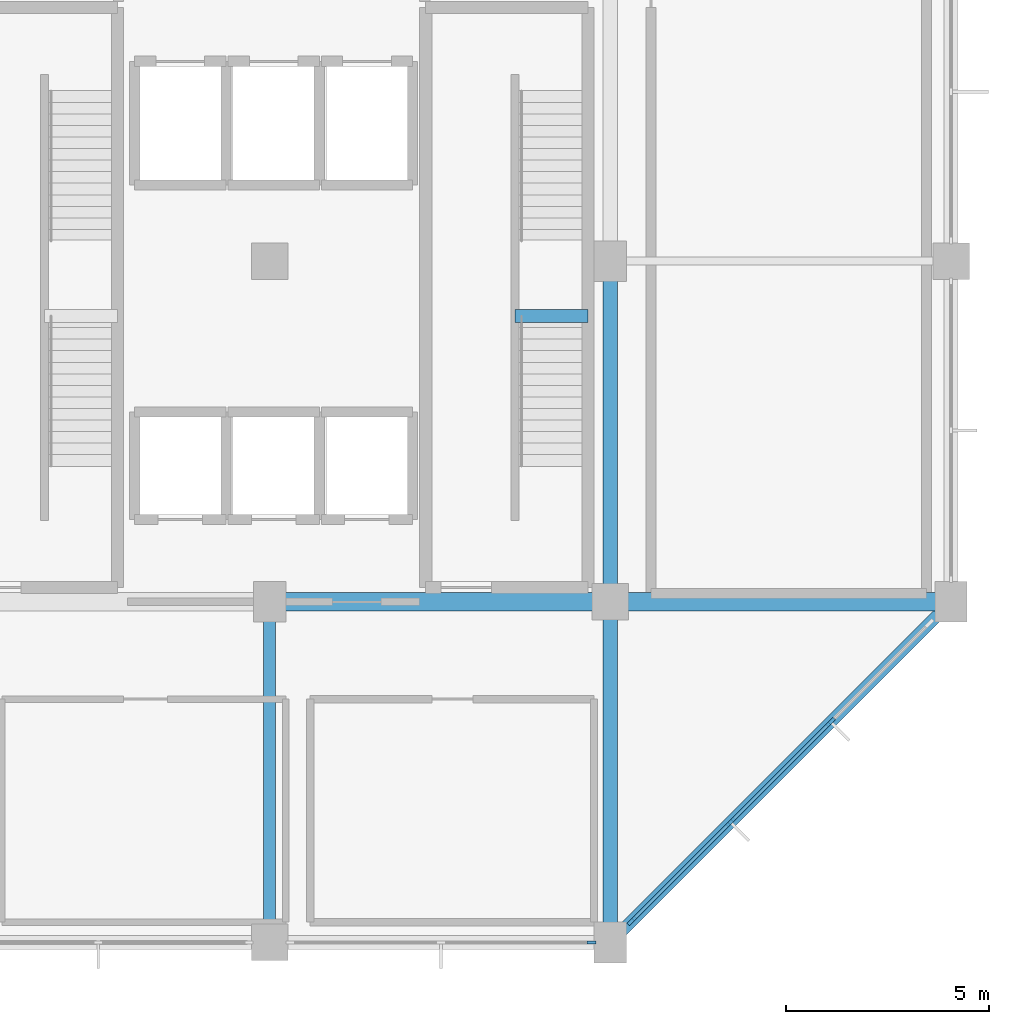
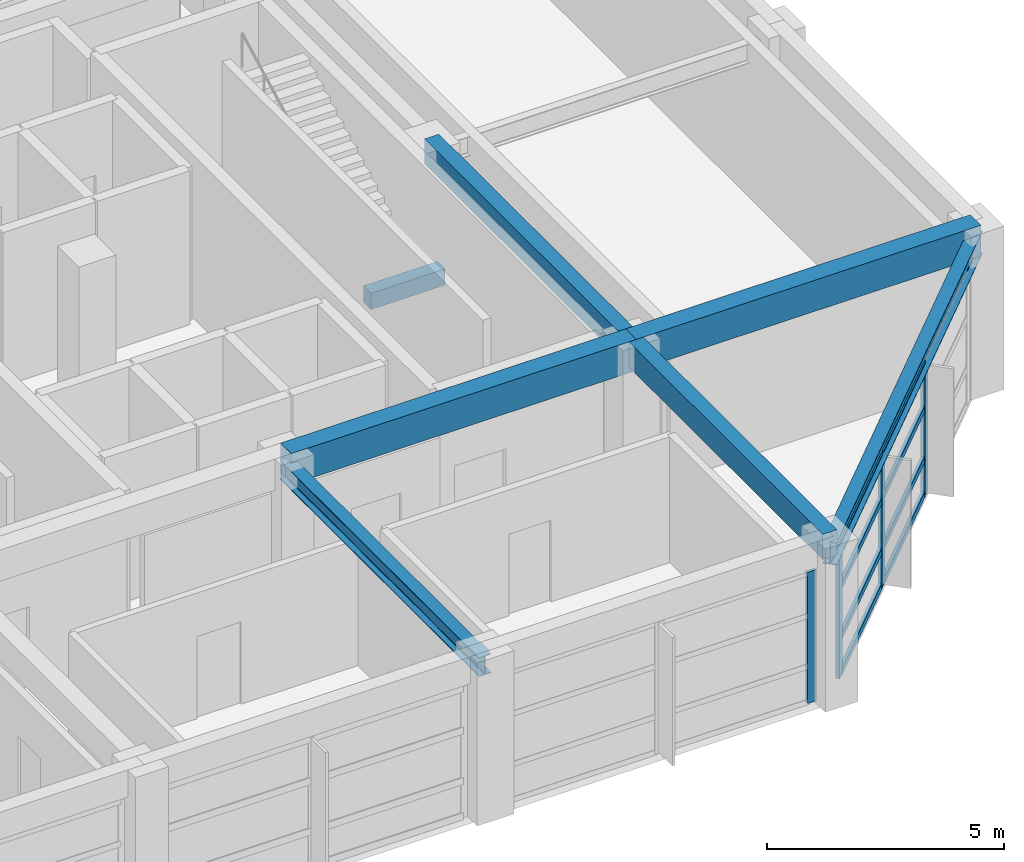
# One storey, part 3 of 12: 12 members, 7 beams, 2 elements without a shape of their own.
"""IFC4 building model written with IfcOpenShell, lengths in metres."""

from ifc_helpers import new_model, si_unit, direction, frame, origin, origin_2d, place, context, subcontext, project, spatial, rectangle, i_section, extrude, material, material_profile, profile_set, type_object, element, aggregate, save


model = new_model("IFC4")

# Units and contexts
model_context = context("Model", 3, precision=1e-05, world=origin(), true_north=direction((0.0, 1.0)))
body_context = subcontext(model_context, "Body", "Model", "MODEL_VIEW")
ifc_project = project(units=[si_unit("LENGTHUNIT", "METRE"), si_unit("AREAUNIT", "SQUARE_METRE"), si_unit("VOLUMEUNIT", "CUBIC_METRE"), si_unit("PLANEANGLEUNIT", "RADIAN"), si_unit("MASSUNIT", "GRAM", prefix="KILO")], contexts=[model_context])

# Site, building, storey
site_placement = place(None, origin())
site = spatial("IfcSite", under=ifc_project, at=site_placement, CompositionType="ELEMENT")
building_placement = place(site_placement, origin())
building = spatial("IfcBuilding", under=site, at=building_placement, Name="Xuanlan Plaza Opera House", CompositionType="ELEMENT")
storey_placement = place(building_placement, frame((0.0, 0.0, 61.5)))
storey = spatial("IfcBuildingStorey", under=building, at=storey_placement, Name="L14", CompositionType="ELEMENT", Elevation=61.5)

# Curtain wall, member
ifc_material_1 = material(Name="Anodised Aluminium 6063-T6 and Low-E Glass", Category="aluminium")
curtain_wall_type_1 = type_object("IfcCurtainWallType", Name="ENV-CW-CW-03", PredefinedType="USERDEFINED", material=ifc_material_1)
curtain_wall_1_placement = place(storey_placement, origin())
curtain_wall_1 = element("IfcCurtainWall", 1, at=curtain_wall_1_placement, inside=storey, type_object=curtain_wall_type_1, Name="Unitised Curtain Wall L14-003", ObjectType="UNITISED CURTAIN WALL", PredefinedType="USERDEFINED")
ifc_material_2 = material(Name="Anodised Aluminium 6063-T6", Category="aluminium")
ifc_material_profile_1 = material_profile(ifc_material_2, rectangle(XDim=0.080078125, YDim=0.219970703125, at=origin_2d()), Name="ALU-M 80x220")
ifc_profile_set_1 = profile_set([ifc_material_profile_1], Name="Anodised Aluminium 6063-T6")
member_type_1 = type_object("IfcMemberType", Name="ENV-CWM-04", PredefinedType="MULLION", material=ifc_profile_set_1)
member_1_placement = place(storey_placement, frame((150.739990234375, 42.0, 0.0), z_axis=(0.0, 0.0, 1.0), x_axis=(0.0, 1.0, 0.0)))
member_1 = element("IfcMember", 2, at=member_1_placement, type_object=member_type_1, Name="CW-03 mullion 3", PredefinedType="MULLION", context=body_context, shape_type="SweptSolid", body=[
    extrude(rectangle(XDim=0.080078125, YDim=0.219970703125, at=origin_2d()), origin(), (0.0, 0.0, 1.0), 3.3798828125),
])
aggregate(curtain_wall_1, [member_1])

# Curtain wall, members
curtain_wall_type_2 = type_object("IfcCurtainWallType", Name="ENV-CW-CW-04", PredefinedType="USERDEFINED", material=ifc_material_1)
curtain_wall_2_placement = place(storey_placement, origin())
curtain_wall_2 = element("IfcCurtainWall", 3, at=curtain_wall_2_placement, inside=storey, type_object=curtain_wall_type_2, Name="Unitised Curtain Wall L14-004", ObjectType="UNITISED CURTAIN WALL", PredefinedType="USERDEFINED")
ifc_material_profile_2 = material_profile(ifc_material_2, rectangle(XDim=0.090087890625, YDim=0.25, at=origin_2d()), Name="ALU-M 90x250")
ifc_profile_set_2 = profile_set([ifc_material_profile_2], Name="Anodised Aluminium 6063-T6")
member_type_2 = type_object("IfcMemberType", Name="ENV-CWM-05", PredefinedType="MULLION", material=ifc_profile_set_2)
member_2_placement = place(storey_placement, frame((151.730712890625, 42.53076171875, 0.0), z_axis=(0.0, 0.0, 1.0), x_axis=(-0.707106781187, 0.707106781187, 0.0)))
member_2 = element("IfcMember", 4, at=member_2_placement, type_object=member_type_2, Name="CW-04 mullion 1", PredefinedType="MULLION", context=body_context, shape_type="SweptSolid", body=[
    extrude(rectangle(XDim=0.090087890625, YDim=0.25, at=origin_2d()), origin(), (0.0, 0.0, 1.0), 3.3798828125),
])
member_3_placement = place(storey_placement, frame((154.166259765625, 44.96630859375, 0.0), z_axis=(0.0, 0.0, 1.0), x_axis=(-0.707106781187, 0.707106781187, 0.0)))
member_3 = element("IfcMember", 5, at=member_3_placement, type_object=member_type_2, Name="CW-04 mullion 2", PredefinedType="MULLION", context=body_context, shape_type="SweptSolid", body=[
    extrude(rectangle(XDim=0.090087890625, YDim=0.25, at=origin_2d()), origin(), (0.0, 0.0, 1.0), 3.3798828125),
])
member_4_placement = place(storey_placement, frame((156.633544921875, 47.43359375, 0.0), z_axis=(0.0, 0.0, 1.0), x_axis=(-0.707106781187, 0.707106781187, 0.0)))
member_4 = element("IfcMember", 6, at=member_4_placement, type_object=member_type_2, Name="CW-04 mullion 3", PredefinedType="MULLION", context=body_context, shape_type="SweptSolid", body=[
    extrude(rectangle(XDim=0.090087890625, YDim=0.25, at=origin_2d()), origin(), (0.0, 0.0, 1.0), 3.3798828125),
])
ifc_material_profile_3 = material_profile(ifc_material_2, rectangle(XDim=0.080078125, YDim=0.1650390625, at=origin_2d()), Name="ALU-T 80x165")
ifc_profile_set_3 = profile_set([ifc_material_profile_3], Name="Anodised Aluminium 6063-T6")
member_type_3 = type_object("IfcMemberType", Name="ENV-CWT-04", PredefinedType="USERDEFINED", material=ifc_profile_set_3)
member_5_placement = place(storey_placement, frame((151.7626953125, 42.562744140625, 0.0400390625), z_axis=(0.707106781187, 0.707106781187, 0.0), x_axis=(-0.707106781187, 0.707106781187, 0.0)))
member_5 = element("IfcMember", 7, at=member_5_placement, type_object=member_type_3, Name="CW-04 transom 1.1", ObjectType="TRANSOM", PredefinedType="USERDEFINED", context=body_context, shape_type="SweptSolid", body=[
    extrude(rectangle(XDim=0.080078125, YDim=0.1650390625, at=origin_2d()), origin(), (0.0, 0.0, 1.0), 3.354248046875),
])
member_6_placement = place(storey_placement, frame((151.7626953125, 42.562744140625, 0.949951171875), z_axis=(0.707106781187, 0.707106781187, 0.0), x_axis=(-0.707106781187, 0.707106781187, 0.0)))
member_6 = element("IfcMember", 8, at=member_6_placement, type_object=member_type_3, Name="CW-04 transom 1.2", ObjectType="TRANSOM", PredefinedType="USERDEFINED", context=body_context, shape_type="SweptSolid", body=[
    extrude(rectangle(XDim=0.080078125, YDim=0.1650390625, at=origin_2d()), origin(), (0.0, 0.0, 1.0), 3.354248046875),
])
member_7_placement = place(storey_placement, frame((151.7626953125, 42.562744140625, 2.25), z_axis=(0.707106781187, 0.707106781187, 0.0), x_axis=(-0.707106781187, 0.707106781187, 0.0)))
member_7 = element("IfcMember", 9, at=member_7_placement, type_object=member_type_3, Name="CW-04 transom 1.3", ObjectType="TRANSOM", PredefinedType="USERDEFINED", context=body_context, shape_type="SweptSolid", body=[
    extrude(rectangle(XDim=0.080078125, YDim=0.1650390625, at=origin_2d()), origin(), (0.0, 0.0, 1.0), 3.354248046875),
])
member_8_placement = place(storey_placement, frame((151.7626953125, 42.562744140625, 3.340087890625), z_axis=(0.707106781187, 0.707106781187, 0.0), x_axis=(-0.707106781187, 0.707106781187, 0.0)))
member_8 = element("IfcMember", 10, at=member_8_placement, type_object=member_type_3, Name="CW-04 transom 1.4", ObjectType="TRANSOM", PredefinedType="USERDEFINED", context=body_context, shape_type="SweptSolid", body=[
    extrude(rectangle(XDim=0.080078125, YDim=0.1650390625, at=origin_2d()), origin(), (0.0, 0.0, 1.0), 3.354248046875),
])
member_9_placement = place(storey_placement, frame((154.1982421875, 44.998046875, 0.0400390625), z_axis=(0.707070870124, 0.707142690426, 0.0), x_axis=(-0.707142690426, 0.707070870124, 0.0)))
member_9 = element("IfcMember", 11, at=member_9_placement, type_object=member_type_3, Name="CW-04 transom 2.1", ObjectType="TRANSOM", PredefinedType="USERDEFINED", context=body_context, shape_type="SweptSolid", body=[
    extrude(rectangle(XDim=0.080078125, YDim=0.1650390625, at=origin_2d()), origin(), (0.0, 0.0, 1.0), 3.3994140625),
])
member_10_placement = place(storey_placement, frame((154.1982421875, 44.998046875, 0.949951171875), z_axis=(0.707070870124, 0.707142690426, 0.0), x_axis=(-0.707142690426, 0.707070870124, 0.0)))
member_10 = element("IfcMember", 12, at=member_10_placement, type_object=member_type_3, Name="CW-04 transom 2.2", ObjectType="TRANSOM", PredefinedType="USERDEFINED", context=body_context, shape_type="SweptSolid", body=[
    extrude(rectangle(XDim=0.080078125, YDim=0.1650390625, at=origin_2d()), origin(), (0.0, 0.0, 1.0), 3.3994140625),
])
member_11_placement = place(storey_placement, frame((154.1982421875, 44.998046875, 2.25), z_axis=(0.707070870124, 0.707142690426, 0.0), x_axis=(-0.707142690426, 0.707070870124, 0.0)))
member_11 = element("IfcMember", 13, at=member_11_placement, type_object=member_type_3, Name="CW-04 transom 2.3", ObjectType="TRANSOM", PredefinedType="USERDEFINED", context=body_context, shape_type="SweptSolid", body=[
    extrude(rectangle(XDim=0.080078125, YDim=0.1650390625, at=origin_2d()), origin(), (0.0, 0.0, 1.0), 3.3994140625),
])
member_12_placement = place(storey_placement, frame((154.1982421875, 44.998046875, 3.340087890625), z_axis=(0.707070870124, 0.707142690426, 0.0), x_axis=(-0.707142690426, 0.707070870124, 0.0)))
member_12 = element("IfcMember", 14, at=member_12_placement, type_object=member_type_3, Name="CW-04 transom 2.4", ObjectType="TRANSOM", PredefinedType="USERDEFINED", context=body_context, shape_type="SweptSolid", body=[
    extrude(rectangle(XDim=0.080078125, YDim=0.1650390625, at=origin_2d()), origin(), (0.0, 0.0, 1.0), 3.3994140625),
])
aggregate(curtain_wall_2, [member_2, member_3, member_4, member_5, member_6, member_7, member_8, member_9, member_10, member_11, member_12])

# Beams
ifc_material_3 = material(Name="Concrete C40", Category="concrete")
ifc_material_profile_4 = material_profile(ifc_material_3, rectangle(XDim=0.449951171875, YDim=0.800048828125, at=origin_2d()), Name="RC-BM 450x800")
ifc_profile_set_4 = profile_set([ifc_material_profile_4], Name="Concrete C40")
beam_type_1 = type_object("IfcBeamType", Name="STR-BM-B-05", PredefinedType="BEAM", material=ifc_profile_set_4)
beam_1_placement = place(storey_placement, frame((142.800048828125, 50.39990234375, 3.800048828125), z_axis=(1.0, 0.0, 0.0), x_axis=(0.0, 1.0, 0.0)))
element("IfcBeam", 15, at=beam_1_placement, inside=storey, type_object=beam_type_1, Name="Grid Beam X L14 18-19/G", PredefinedType="BEAM", context=body_context, shape_type="SweptSolid", body=[
    extrude(rectangle(XDim=0.449951171875, YDim=0.800048828125, at=origin_2d()), origin(), (0.0, 0.0, 1.0), 8.39990234375),
])
beam_2_placement = place(storey_placement, frame((151.199951171875, 50.39990234375, 3.800048828125), z_axis=(1.0, 0.0, 0.0), x_axis=(0.0, 1.0, 0.0)))
element("IfcBeam", 16, at=beam_2_placement, inside=storey, type_object=beam_type_1, Name="Grid Beam X L14 19-20/G", PredefinedType="BEAM", context=body_context, shape_type="SweptSolid", body=[
    extrude(rectangle(XDim=0.449951171875, YDim=0.800048828125, at=origin_2d()), origin(), (0.0, 0.0, 1.0), 8.400146484375),
])
ifc_material_profile_5 = material_profile(ifc_material_3, rectangle(XDim=0.35009765625, YDim=0.64990234375, at=origin_2d()), Name="RC-BM 350x650")
ifc_profile_set_5 = profile_set([ifc_material_profile_5], Name="Concrete C40")
beam_type_2 = type_object("IfcBeamType", Name="STR-BM-B-08", PredefinedType="BEAM", material=ifc_profile_set_5)
beam_3_placement = place(storey_placement, frame((151.199951171875, 42.0, 3.875), z_axis=(0.0, 1.0, 0.0), x_axis=(-1.0, 0.0, 0.0)))
element("IfcBeam", 17, at=beam_3_placement, inside=storey, type_object=beam_type_2, Name="Grid Beam Y L14 19/F-G", PredefinedType="BEAM", context=body_context, shape_type="SweptSolid", body=[
    extrude(rectangle(XDim=0.35009765625, YDim=0.64990234375, at=origin_2d()), origin(), (0.0, 0.0, 1.0), 8.39990234375),
])
beam_4_placement = place(storey_placement, frame((151.199951171875, 50.39990234375, 3.875), z_axis=(0.0, 1.0, 0.0), x_axis=(-1.0, 0.0, 0.0)))
element("IfcBeam", 18, at=beam_4_placement, inside=storey, type_object=beam_type_2, Name="Grid Beam Y L14 19/G-H", PredefinedType="BEAM", context=body_context, shape_type="SweptSolid", body=[
    extrude(rectangle(XDim=0.35009765625, YDim=0.64990234375, at=origin_2d()), origin(), (0.0, 0.0, 1.0), 8.400146484375),
])
ifc_material_profile_6 = material_profile(ifc_material_3, rectangle(XDim=0.320068359375, YDim=0.419921875, at=origin_2d()), Name="RC-LNT 320x420")
ifc_profile_set_6 = profile_set([ifc_material_profile_6], Name="Concrete C40")
beam_type_3 = type_object("IfcBeamType", Name="STR-BM-LN-04", PredefinedType="LINTEL", material=ifc_profile_set_6)
beam_5_placement = place(storey_placement, frame((148.85009765625, 57.445068359375, 1.68994140625), z_axis=(1.0, 0.0, 0.0), x_axis=(0.0, 1.0, 0.0)))
element("IfcBeam", 19, at=beam_5_placement, inside=storey, type_object=beam_type_3, Name="Stair Mid-Landing Trimmer Beam ST-T2 L14", PredefinedType="LINTEL", context=body_context, shape_type="SweptSolid", body=[
    extrude(rectangle(XDim=0.320068359375, YDim=0.419921875, at=origin_2d()), origin(), (0.0, 0.0, 1.0), 1.7998046875),
])
ifc_material_4 = material(Name="Steel Q355B", Category="steel")
ifc_material_profile_7 = material_profile(ifc_material_4, i_section(OverallWidth=0.300048828125, OverallDepth=0.488037109375, WebThickness=0.010986328125, FlangeThickness=0.01806640625, FilletRadius=0.02197265625, at=origin_2d()), Name="HM 488x300x11x18")
ifc_profile_set_7 = profile_set([ifc_material_profile_7], Name="Steel Q355B")
beam_type_4 = type_object("IfcBeamType", Name="STR-BM-SB-07", PredefinedType="BEAM", material=ifc_profile_set_7)
beam_6_placement = place(storey_placement, frame((142.800048828125, 42.0, 3.7109375), z_axis=(0.0, 1.0, 0.0), x_axis=(-1.0, 0.0, 0.0)))
element("IfcBeam", 20, at=beam_6_placement, inside=storey, type_object=beam_type_4, Name="Grid Beam Y L14 18/F-G", PredefinedType="BEAM", context=body_context, shape_type="SweptSolid", body=[
    extrude(i_section(OverallWidth=0.300048828125, OverallDepth=0.488037109375, WebThickness=0.010986328125, FlangeThickness=0.01806640625, FilletRadius=0.02197265625, at=origin_2d()), origin(), (0.0, 0.0, 1.0), 8.39990234375),
])
ifc_material_profile_8 = material_profile(ifc_material_4, i_section(OverallWidth=0.300048828125, OverallDepth=0.587890625, WebThickness=0.011962890625, FlangeThickness=0.02001953125, FilletRadius=0.02392578125, at=origin_2d()), Name="HM 588x300x12x20")
ifc_profile_set_8 = profile_set([ifc_material_profile_8], Name="Steel Q355B")
beam_type_5 = type_object("IfcBeamType", Name="STR-BM-SP-03", PredefinedType="SPANDREL", material=ifc_profile_set_8)
beam_7_placement = place(storey_placement, frame((151.199951171875, 42.0, 3.660888671875), z_axis=(0.707117056885, 0.707096505339, 0.0), x_axis=(-0.707096505339, 0.707117056885, 0.0)))
element("IfcBeam", 21, at=beam_7_placement, inside=storey, type_object=beam_type_5, Name="Faceted Edge Spandrel L14 CH01", PredefinedType="SPANDREL", context=body_context, shape_type="SweptSolid", body=[
    extrude(i_section(OverallWidth=0.300048828125, OverallDepth=0.587890625, WebThickness=0.011962890625, FlangeThickness=0.02001953125, FilletRadius=0.02392578125, at=origin_2d()), origin(), (0.0, 0.0, 1.0), 11.87939453125),
])

save(model, "model.ifc")
